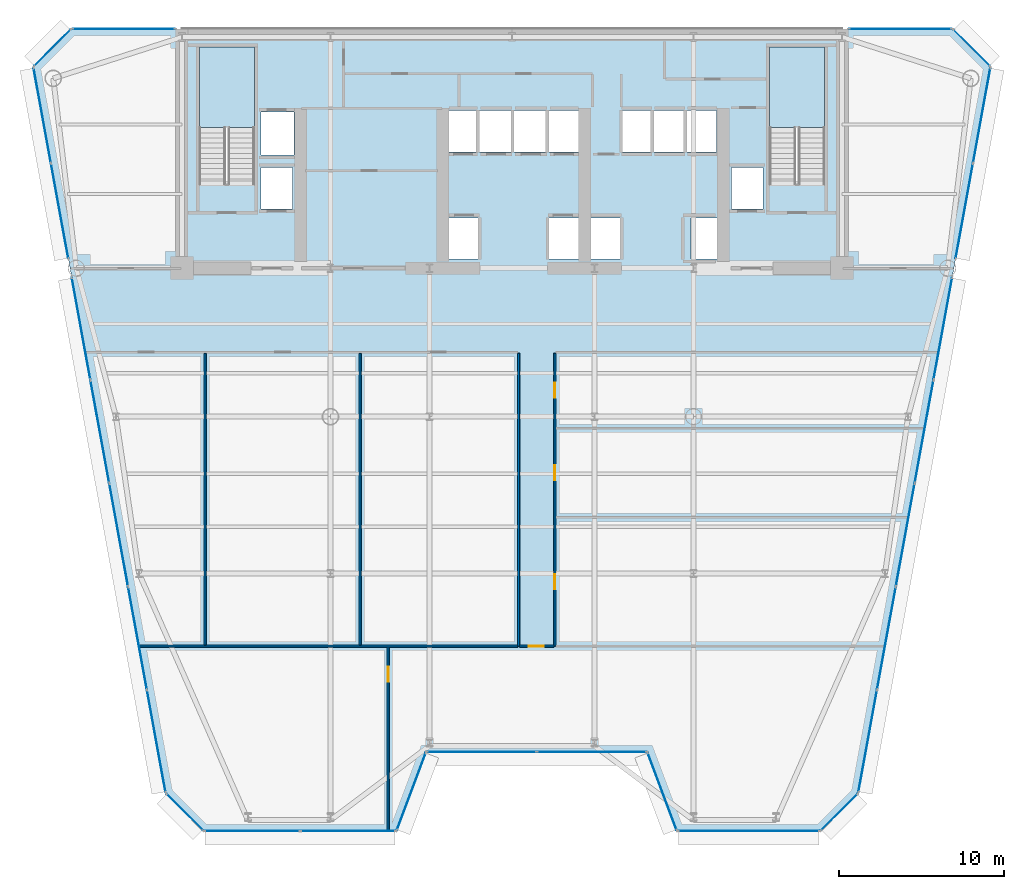
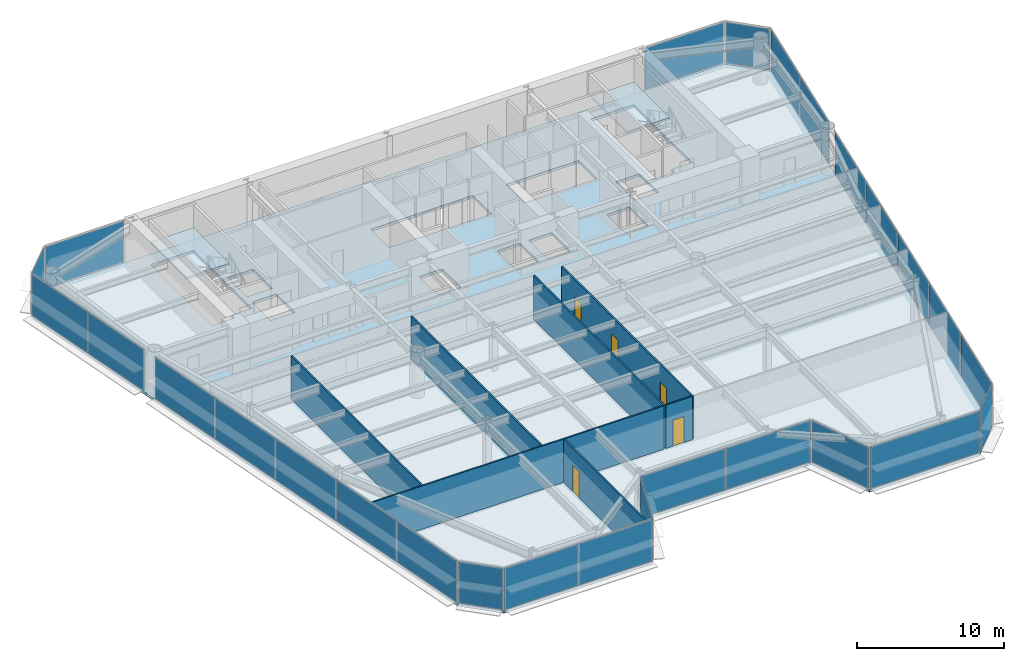
# One storey, part 7 of 14: 27 plates, 7 walls, 5 doors, 3 slabs, 5 openings, 17 elements without a shape of their own.
"""IFC4 building model written with IfcOpenShell, lengths in metres."""

from ifc_helpers import new_model, si_unit, direction, frame, frame_2d, origin, origin_2d, place, context, subcontext, project, spatial, polyline, rectangle, outline, extrude, source, transform, mapped, material, layer, layer_set, type_object, element, fill, aggregate, save


model = new_model("IFC4")

# Units and contexts
model_context = context("Model", 3, precision=1e-05, world=origin(), true_north=direction((0.0, 1.0)))
body_context = subcontext(model_context, "Body", "Model", "MODEL_VIEW")
ifc_project = project(units=[si_unit("LENGTHUNIT", "METRE"), si_unit("AREAUNIT", "SQUARE_METRE"), si_unit("VOLUMEUNIT", "CUBIC_METRE"), si_unit("PLANEANGLEUNIT", "RADIAN"), si_unit("MASSUNIT", "GRAM", prefix="KILO")], contexts=[model_context])

# Site, building, storey
site_placement = place(None, origin())
site = spatial("IfcSite", under=ifc_project, at=site_placement, CompositionType="ELEMENT")
building_placement = place(site_placement, origin())
building = spatial("IfcBuilding", under=site, at=building_placement, Name="Vaeldorn Concourse Tower", CompositionType="ELEMENT")
storey_placement = place(building_placement, frame((0.0, 0.0, 107.199951171875)))
storey = spatial("IfcBuildingStorey", under=building, at=storey_placement, Name="L27", CompositionType="ELEMENT", Elevation=107.199951171875)

# Stair, slab
ifc_material_1 = material(Name="Precast concrete C40/50", Category="concrete")
stair_type = type_object("IfcStairType", Name="STR-DOG-24x158", PredefinedType="HALF_TURN_STAIR", material=ifc_material_1)
stair_1_placement = place(storey_placement, origin())
stair_1 = element("IfcStair", 1, at=stair_1_placement, inside=storey, type_object=stair_type, Name="L27 West Core Exit Stair ST-1", PredefinedType="HALF_TURN_STAIR")
ifc_material_2 = material(Name="Concrete C40/50", Category="concrete")
ifc_layer_1 = layer(ifc_material_2, 0.199951171875)
ifc_layer_set_1 = layer_set([ifc_layer_1], Name="Concrete C40/50")
slab_type_1 = type_object("IfcSlabType", Name="SL-STAIR-LANDING", PredefinedType="LANDING", material=ifc_layer_set_1)
slab_1_placement = place(storey_placement, frame((0.0, 0.0, 1.699951171875)))
slab_1 = element("IfcSlab", 2, at=slab_1_placement, type_object=slab_type_1, Name="ST-1 landing 1", PredefinedType="LANDING", context=body_context, shape_type="SweptSolid", body=[
    extrude(outline(polyline([(18.39990234375, 45.010009765625), (18.39990234375, 49.89990234375), (15.050048828125, 49.89990234375), (15.050048828125, 45.010009765625), (18.39990234375, 45.010009765625)])), origin(), (0.0, 0.0, 1.0), 0.2001953125),
])
aggregate(stair_1, [slab_1])

stair_2_placement = place(storey_placement, origin())
stair_2 = element("IfcStair", 3, at=stair_2_placement, inside=storey, type_object=stair_type, Name="L27 East Core Exit Stair ST-2", PredefinedType="HALF_TURN_STAIR")
slab_2_placement = place(storey_placement, frame((0.0, 0.0, 1.699951171875)))
slab_2 = element("IfcSlab", 4, at=slab_2_placement, type_object=slab_type_1, Name="ST-2 landing 1", PredefinedType="LANDING", context=body_context, shape_type="SweptSolid", body=[
    extrude(outline(polyline([(52.949951171875, 45.010009765625), (52.949951171875, 49.89990234375), (49.60009765625, 49.89990234375), (49.60009765625, 45.010009765625), (52.949951171875, 45.010009765625)])), origin(), (0.0, 0.0, 1.0), 0.2001953125),
])
aggregate(stair_2, [slab_2])

# Slab
ifc_layer_2 = layer(ifc_material_2, 0.219970703125)
ifc_layer_set_2 = layer_set([ifc_layer_2], Name="Concrete C40/50")
slab_type_2 = type_object("IfcSlabType", Name="SL-TYP-220", PredefinedType="FLOOR", material=ifc_layer_set_2)
slab_3_placement = place(storey_placement, frame((0.0, 0.0, -0.219970703125)))
element("IfcSlab", 5, at=slab_3_placement, inside=storey, type_object=slab_type_2, Name="Structural Floor Slab L27", PredefinedType="FLOOR", context=body_context, shape_type="SweptSolid", body=[
    extrude(outline(polyline([(15.320556640625, 2.390869140625), (27.0, 2.390869140625), (28.800048828125, 7.19091796875), (42.199951171875, 7.19091796875), (44.0, 2.390869140625), (52.679443359375, 2.390869140625), (54.9794921875, 4.69091796875), (63.0, 48.699951171875), (60.699951171875, 51.0), (7.300048828125, 51.0), (5.0, 48.699951171875), (13.0205078125, 4.69091796875), (15.320556640625, 2.390869140625)]), holes=[polyline([(18.39990234375, 42.0), (18.39990234375, 49.89990234375), (15.050048828125, 49.89990234375), (15.050048828125, 41.60009765625), (16.800048828125, 41.60009765625), (16.800048828125, 42.0), (18.39990234375, 42.0)]), polyline([(52.949951171875, 42.0), (52.949951171875, 49.89990234375), (49.60009765625, 49.89990234375), (49.60009765625, 41.60009765625), (51.35009765625, 41.60009765625), (51.35009765625, 42.0), (52.949951171875, 42.0)]), polyline([(30.14990234375, 37.050048828125), (31.949951171875, 37.050048828125), (31.949951171875, 39.550048828125), (30.14990234375, 39.550048828125), (30.14990234375, 37.050048828125)]), polyline([(36.25, 37.050048828125), (38.050048828125, 37.050048828125), (38.050048828125, 39.550048828125), (36.25, 39.550048828125), (36.25, 37.050048828125)]), polyline([(30.10009765625, 43.550048828125), (38.10009765625, 43.550048828125), (38.10009765625, 46.050048828125), (30.10009765625, 46.050048828125), (30.10009765625, 43.550048828125)]), polyline([(38.75, 37.050048828125), (40.550048828125, 37.050048828125), (40.550048828125, 39.550048828125), (38.75, 39.550048828125), (38.75, 37.050048828125)]), polyline([(44.85009765625, 37.050048828125), (46.64990234375, 37.050048828125), (46.64990234375, 39.550048828125), (44.85009765625, 39.550048828125), (44.85009765625, 37.050048828125)]), polyline([(40.699951171875, 43.550048828125), (46.39990234375, 43.550048828125), (46.39990234375, 46.050048828125), (40.699951171875, 46.050048828125), (40.699951171875, 43.550048828125)]), polyline([(18.800048828125, 43.35009765625), (20.800048828125, 43.35009765625), (20.800048828125, 45.949951171875), (18.800048828125, 45.949951171875), (18.800048828125, 43.35009765625)]), polyline([(18.800048828125, 40.10009765625), (20.699951171875, 40.10009765625), (20.699951171875, 42.60009765625), (18.800048828125, 42.60009765625), (18.800048828125, 40.10009765625)]), polyline([(47.300048828125, 40.10009765625), (49.199951171875, 40.10009765625), (49.199951171875, 42.60009765625), (47.300048828125, 42.60009765625), (47.300048828125, 40.10009765625)])]), origin(), (0.0, 0.0, 1.0), 0.219970703125),
])

# Curtain wall, plate
ifc_material_3 = material(Name="Anodised Bronze Aluminium", Category="aluminium")
ifc_layer_3 = layer(ifc_material_3, 0.199951171875)
ifc_layer_set_3 = layer_set([ifc_layer_3], Name="Anodised Bronze Aluminium")
curtain_wall_type = type_object("IfcCurtainWallType", Name="CW-SYS-02", PredefinedType="NOTDEFINED", material=ifc_layer_set_3)
curtain_wall_1_placement = place(storey_placement, origin())
curtain_wall_1 = element("IfcCurtainWall", 6, at=curtain_wall_1_placement, inside=storey, type_object=curtain_wall_type, Name="Unitised Curtain Wall CW-L27-E02-1", PredefinedType="NOTDEFINED")
ifc_material_4 = material(Name="Bronze Tinted Low-E Insulated Glass", Category="glass")
ifc_layer_4 = layer(ifc_material_4, 0.031982421875)
ifc_layer_set_4 = layer_set([ifc_layer_4], Name="Bronze Tinted Low-E Insulated Glass")
plate_type = type_object("IfcPlateType", Name="CWP-VISION-32", PredefinedType="CURTAIN_PANEL", material=ifc_layer_set_4)
shared_shape_1 = source(origin(), body_context, "Body", "SweptSolid", [
    extrude(rectangle(XDim=4.976318359375, YDim=0.031982421875, at=origin_2d()), origin(), (0.0, 0.0, 1.0), 3.429931640625),
])
plate_1_placement = place(storey_placement, frame((27.89990234375, 4.790771484375, 0.0751953125), z_axis=(0.0, 0.0, 1.0), x_axis=(0.351123441595, 0.936329177566, 0.0)))
plate_1 = element("IfcPlate", 7, at=plate_1_placement, type_object=plate_type, Name="CW-02 panel 1.1", PredefinedType="CURTAIN_PANEL", context=body_context, shape_type="MappedRepresentation", body=[
    mapped(shared_shape_1, transform((0.0, 0.0, 0.0), scale=1.0)),
])
aggregate(curtain_wall_1, [plate_1])

curtain_wall_2_placement = place(storey_placement, origin())
curtain_wall_2 = element("IfcCurtainWall", 8, at=curtain_wall_2_placement, inside=storey, type_object=curtain_wall_type, Name="Unitised Curtain Wall CW-L27-E04-1", PredefinedType="NOTDEFINED")
plate_2_placement = place(storey_placement, frame((43.10009765625, 4.790771484375, 0.0751953125), z_axis=(0.0, 0.0, 1.0), x_axis=(0.351123441595, -0.936329177566, 0.0)))
plate_2 = element("IfcPlate", 9, at=plate_2_placement, type_object=plate_type, Name="CW-02 panel 1.1", PredefinedType="CURTAIN_PANEL", context=body_context, shape_type="MappedRepresentation", body=[
    mapped(shared_shape_1, transform((0.0, 0.0, 0.0), scale=1.0)),
])
aggregate(curtain_wall_2, [plate_2])

# Curtain wall, plates
curtain_wall_3_placement = place(storey_placement, origin())
curtain_wall_3 = element("IfcCurtainWall", 10, at=curtain_wall_3_placement, inside=storey, type_object=curtain_wall_type, Name="Unitised Curtain Wall CW-L27-E03-1", PredefinedType="NOTDEFINED")
shared_shape_2 = source(origin(), body_context, "Body", "SweptSolid", [
    extrude(rectangle(XDim=6.58740234375, YDim=0.031982421875, at=origin_2d()), origin(), (0.0, 0.0, 1.0), 3.429931640625),
])
plate_3_placement = place(storey_placement, frame((32.168701171875, 7.19091796875, 0.0751953125), z_axis=(0.0, 0.0, 1.0), x_axis=(1.0, 0.0, 0.0)))
plate_3 = element("IfcPlate", 11, at=plate_3_placement, type_object=plate_type, Name="CW-02 panel 1.1", PredefinedType="CURTAIN_PANEL", context=body_context, shape_type="MappedRepresentation", body=[
    mapped(shared_shape_2, transform((0.0, 0.0, 0.0), scale=1.0)),
])
plate_4_placement = place(storey_placement, frame((38.831298828125, 7.19091796875, 0.0751953125), z_axis=(0.0, 0.0, 1.0), x_axis=(1.0, 0.0, 0.0)))
plate_4 = element("IfcPlate", 12, at=plate_4_placement, type_object=plate_type, Name="CW-02 panel 2.1", PredefinedType="CURTAIN_PANEL", context=body_context, shape_type="MappedRepresentation", body=[
    mapped(shared_shape_2, transform((0.0, 0.0, 0.0), scale=1.0)),
])
aggregate(curtain_wall_3, [plate_3, plate_4])

# Curtain wall, plate
curtain_wall_4_placement = place(storey_placement, origin())
curtain_wall_4 = element("IfcCurtainWall", 13, at=curtain_wall_4_placement, inside=storey, type_object=curtain_wall_type, Name="Unitised Curtain Wall CW-L27-E06-1", PredefinedType="NOTDEFINED")
shared_shape_3 = source(origin(), body_context, "Body", "SweptSolid", [
    extrude(rectangle(XDim=3.102783203125, YDim=0.031982421875, at=origin_2d()), origin(), (0.0, 0.0, 1.0), 3.429931640625),
])
plate_5_placement = place(storey_placement, frame((53.82958984375, 3.540771484375, 0.0751953125), z_axis=(0.0, 0.0, 1.0), x_axis=(0.707106781187, 0.707106781187, 0.0)))
plate_5 = element("IfcPlate", 14, at=plate_5_placement, type_object=plate_type, Name="CW-02 panel 1.1", PredefinedType="CURTAIN_PANEL", context=body_context, shape_type="MappedRepresentation", body=[
    mapped(shared_shape_3, transform((0.0, 0.0, 0.0), scale=1.0)),
])
aggregate(curtain_wall_4, [plate_5])

curtain_wall_5_placement = place(storey_placement, origin())
curtain_wall_5 = element("IfcCurtainWall", 15, at=curtain_wall_5_placement, inside=storey, type_object=curtain_wall_type, Name="Unitised Curtain Wall CW-L27-E08-1", PredefinedType="NOTDEFINED")
plate_6_placement = place(storey_placement, frame((61.85009765625, 49.85009765625, 0.0751953125), z_axis=(0.0, 0.0, 1.0), x_axis=(-0.707106781187, 0.707106781187, 0.0)))
plate_6 = element("IfcPlate", 16, at=plate_6_placement, type_object=plate_type, Name="CW-02 panel 1.1", PredefinedType="CURTAIN_PANEL", context=body_context, shape_type="MappedRepresentation", body=[
    mapped(shared_shape_3, transform((0.0, 0.0, 0.0), scale=1.0)),
])
aggregate(curtain_wall_5, [plate_6])

curtain_wall_6_placement = place(storey_placement, origin())
curtain_wall_6 = element("IfcCurtainWall", 17, at=curtain_wall_6_placement, inside=storey, type_object=curtain_wall_type, Name="Unitised Curtain Wall CW-L27-E10-1", PredefinedType="NOTDEFINED")
plate_7_placement = place(storey_placement, frame((6.14990234375, 49.85009765625, 0.0751953125), z_axis=(0.0, 0.0, 1.0), x_axis=(-0.707106781187, -0.707106781187, 0.0)))
plate_7 = element("IfcPlate", 18, at=plate_7_placement, type_object=plate_type, Name="CW-02 panel 1.1", PredefinedType="CURTAIN_PANEL", context=body_context, shape_type="MappedRepresentation", body=[
    mapped(shared_shape_3, transform((0.0, 0.0, 0.0), scale=1.0)),
])
aggregate(curtain_wall_6, [plate_7])

curtain_wall_7_placement = place(storey_placement, origin())
curtain_wall_7 = element("IfcCurtainWall", 19, at=curtain_wall_7_placement, inside=storey, type_object=curtain_wall_type, Name="Unitised Curtain Wall CW-L27-E12-1", PredefinedType="NOTDEFINED")
plate_8_placement = place(storey_placement, frame((14.17041015625, 3.540771484375, 0.0751953125), z_axis=(0.0, 0.0, 1.0), x_axis=(0.707106781187, -0.707106781187, 0.0)))
plate_8 = element("IfcPlate", 20, at=plate_8_placement, type_object=plate_type, Name="CW-02 panel 1.1", PredefinedType="CURTAIN_PANEL", context=body_context, shape_type="MappedRepresentation", body=[
    mapped(shared_shape_3, transform((0.0, 0.0, 0.0), scale=1.0)),
])
aggregate(curtain_wall_7, [plate_8])

# Curtain wall, plates
curtain_wall_8_placement = place(storey_placement, origin())
curtain_wall_8 = element("IfcCurtainWall", 21, at=curtain_wall_8_placement, inside=storey, type_object=curtain_wall_type, Name="Unitised Curtain Wall CW-L27-E01-1", PredefinedType="NOTDEFINED")
shared_shape_4 = source(origin(), body_context, "Body", "SweptSolid", [
    extrude(rectangle(XDim=5.727294921875, YDim=0.031982421875, at=origin_2d()), origin(), (0.0, 0.0, 1.0), 3.429931640625),
])
plate_9_placement = place(storey_placement, frame((18.259033203125, 2.390869140625, 0.0751953125), z_axis=(0.0, 0.0, 1.0), x_axis=(1.0, 0.0, 0.0)))
plate_9 = element("IfcPlate", 22, at=plate_9_placement, type_object=plate_type, Name="CW-02 panel 1.1", PredefinedType="CURTAIN_PANEL", context=body_context, shape_type="MappedRepresentation", body=[
    mapped(shared_shape_4, transform((0.0, 0.0, 0.0), scale=1.0)),
])
plate_10_placement = place(storey_placement, frame((24.061279296875, 2.390869140625, 0.0751953125), z_axis=(0.0, 0.0, 1.0), x_axis=(1.0, 0.0, 0.0)))
plate_10 = element("IfcPlate", 23, at=plate_10_placement, type_object=plate_type, Name="CW-02 panel 2.1", PredefinedType="CURTAIN_PANEL", context=body_context, shape_type="MappedRepresentation", body=[
    mapped(shared_shape_4, transform((0.0, 0.0, 0.0), scale=1.0)),
])
aggregate(curtain_wall_8, [plate_9, plate_10])

# Curtain wall, plate
curtain_wall_9_placement = place(storey_placement, origin())
curtain_wall_9 = element("IfcCurtainWall", 24, at=curtain_wall_9_placement, inside=storey, type_object=curtain_wall_type, Name="Unitised Curtain Wall CW-L27-E05-1", PredefinedType="NOTDEFINED")
shared_shape_5 = source(origin(), body_context, "Body", "SweptSolid", [
    extrude(rectangle(XDim=8.529541015625, YDim=0.031982421875, at=origin_2d()), origin(), (0.0, 0.0, 1.0), 3.429931640625),
])
plate_11_placement = place(storey_placement, frame((48.33984375, 2.390869140625, 0.0751953125), z_axis=(0.0, 0.0, 1.0), x_axis=(1.0, 0.0, 0.0)))
plate_11 = element("IfcPlate", 25, at=plate_11_placement, type_object=plate_type, Name="CW-02 panel 1.1", PredefinedType="CURTAIN_PANEL", context=body_context, shape_type="MappedRepresentation", body=[
    mapped(shared_shape_5, transform((0.0, 0.0, 0.0), scale=1.0)),
])
aggregate(curtain_wall_9, [plate_11])

curtain_wall_10_placement = place(storey_placement, origin())
curtain_wall_10 = element("IfcCurtainWall", 26, at=curtain_wall_10_placement, inside=storey, type_object=curtain_wall_type, Name="Unitised Curtain Wall CW-L27-E09-1", PredefinedType="NOTDEFINED")
shared_shape_6 = source(origin(), body_context, "Body", "SweptSolid", [
    extrude(rectangle(XDim=6.179931640625, YDim=0.031982421875, at=origin_2d()), origin(), (0.0, 0.0, 1.0), 3.429931640625),
])
plate_12_placement = place(storey_placement, frame((57.534912109375, 51.0, 0.0751953125), z_axis=(0.0, 0.0, 1.0), x_axis=(-1.0, 0.0, 0.0)))
plate_12 = element("IfcPlate", 27, at=plate_12_placement, type_object=plate_type, Name="CW-02 panel 1.1", PredefinedType="CURTAIN_PANEL", context=body_context, shape_type="MappedRepresentation", body=[
    mapped(shared_shape_6, transform((0.0, 0.0, 0.0), scale=1.0)),
])
aggregate(curtain_wall_10, [plate_12])

curtain_wall_11_placement = place(storey_placement, origin())
curtain_wall_11 = element("IfcCurtainWall", 28, at=curtain_wall_11_placement, inside=storey, type_object=curtain_wall_type, Name="Unitised Curtain Wall CW-L27-E09-2", PredefinedType="NOTDEFINED")
plate_13_placement = place(storey_placement, frame((10.465087890625, 51.0, 0.0751953125), z_axis=(0.0, 0.0, 1.0), x_axis=(-1.0, 0.0, 0.0)))
plate_13 = element("IfcPlate", 29, at=plate_13_placement, type_object=plate_type, Name="CW-02 panel 1.1", PredefinedType="CURTAIN_PANEL", context=body_context, shape_type="MappedRepresentation", body=[
    mapped(shared_shape_6, transform((0.0, 0.0, 0.0), scale=1.0)),
])
aggregate(curtain_wall_11, [plate_13])

# Curtain wall, plates
curtain_wall_12_placement = place(storey_placement, origin())
curtain_wall_12 = element("IfcCurtainWall", 30, at=curtain_wall_12_placement, inside=storey, type_object=curtain_wall_type, Name="Unitised Curtain Wall CW-L27-E07-2", PredefinedType="NOTDEFINED")
shared_shape_7 = source(origin(), body_context, "Body", "SweptSolid", [
    extrude(rectangle(XDim=5.82470703125, YDim=0.031982421875, at=origin_2d()), origin(), (0.0, 0.0, 1.0), 3.429931640625),
])
plate_14_placement = place(storey_placement, frame((61.406494140625, 39.95703125, 0.0751953125), z_axis=(0.0, 0.0, 1.0), x_axis=(0.179293021832, 0.983795716764, 0.0)))
plate_14 = element("IfcPlate", 31, at=plate_14_placement, type_object=plate_type, Name="CW-02 panel 1.1", PredefinedType="CURTAIN_PANEL", context=body_context, shape_type="MappedRepresentation", body=[
    mapped(shared_shape_7, transform((0.0, 0.0, 0.0), scale=1.0)),
])
plate_15_placement = place(storey_placement, frame((62.46435546875, 45.760986328125, 0.0751953125), z_axis=(0.0, 0.0, 1.0), x_axis=(0.179293021832, 0.983795716764, 0.0)))
plate_15 = element("IfcPlate", 32, at=plate_15_placement, type_object=plate_type, Name="CW-02 panel 2.1", PredefinedType="CURTAIN_PANEL", context=body_context, shape_type="MappedRepresentation", body=[
    mapped(shared_shape_7, transform((0.0, 0.0, 0.0), scale=1.0)),
])
aggregate(curtain_wall_12, [plate_14, plate_15])

curtain_wall_13_placement = place(storey_placement, origin())
curtain_wall_13 = element("IfcCurtainWall", 33, at=curtain_wall_13_placement, inside=storey, type_object=curtain_wall_type, Name="Unitised Curtain Wall CW-L27-E11-1", PredefinedType="NOTDEFINED")
plate_16_placement = place(storey_placement, frame((5.53564453125, 45.760986328125, 0.0751953125), z_axis=(0.0, 0.0, 1.0), x_axis=(0.179293021832, -0.983795716764, 0.0)))
plate_16 = element("IfcPlate", 34, at=plate_16_placement, type_object=plate_type, Name="CW-02 panel 1.1", PredefinedType="CURTAIN_PANEL", context=body_context, shape_type="MappedRepresentation", body=[
    mapped(shared_shape_7, transform((0.0, 0.0, 0.0), scale=1.0)),
])
plate_17_placement = place(storey_placement, frame((6.593505859375, 39.95703125, 0.0751953125), z_axis=(0.0, 0.0, 1.0), x_axis=(0.179293021832, -0.983795716764, 0.0)))
plate_17 = element("IfcPlate", 35, at=plate_17_placement, type_object=plate_type, Name="CW-02 panel 2.1", PredefinedType="CURTAIN_PANEL", context=body_context, shape_type="MappedRepresentation", body=[
    mapped(shared_shape_7, transform((0.0, 0.0, 0.0), scale=1.0)),
])
aggregate(curtain_wall_13, [plate_16, plate_17])

curtain_wall_14_placement = place(storey_placement, origin())
curtain_wall_14 = element("IfcCurtainWall", 36, at=curtain_wall_14_placement, inside=storey, type_object=curtain_wall_type, Name="Unitised Curtain Wall CW-L27-E07-1", PredefinedType="NOTDEFINED")
shared_shape_8 = source(origin(), body_context, "Body", "SweptSolid", [
    extrude(rectangle(XDim=6.248779296875, YDim=0.031982421875, at=origin_2d()), origin(), (0.0, 0.0, 1.0), 3.429931640625),
])
plate_18_placement = place(storey_placement, frame((55.55322265625, 7.83837890625, 0.0751953125), z_axis=(0.0, 0.0, 1.0), x_axis=(0.179292960877, 0.983795727872, 0.0)))
plate_18 = element("IfcPlate", 37, at=plate_18_placement, type_object=plate_type, Name="CW-02 panel 1.1", PredefinedType="CURTAIN_PANEL", context=body_context, shape_type="MappedRepresentation", body=[
    mapped(shared_shape_8, transform((0.0, 0.0, 0.0), scale=1.0)),
])
plate_19_placement = place(storey_placement, frame((60.108642578125, 32.83447265625, 0.0751953125), z_axis=(0.0, 0.0, 1.0), x_axis=(0.179292960877, 0.983795727872, 0.0)))
plate_19 = element("IfcPlate", 38, at=plate_19_placement, type_object=plate_type, Name="CW-02 panel 5.1", PredefinedType="CURTAIN_PANEL", context=body_context, shape_type="MappedRepresentation", body=[
    mapped(shared_shape_8, transform((0.0, 0.0, 0.0), scale=1.0)),
])

curtain_wall_15_placement = place(storey_placement, origin())
curtain_wall_15 = element("IfcCurtainWall", 39, at=curtain_wall_15_placement, inside=storey, type_object=curtain_wall_type, Name="Unitised Curtain Wall CW-L27-E11-2", PredefinedType="NOTDEFINED")
plate_20_placement = place(storey_placement, frame((7.891357421875, 32.83447265625, 0.0751953125), z_axis=(0.0, 0.0, 1.0), x_axis=(0.179292960877, -0.983795727872, 0.0)))
plate_20 = element("IfcPlate", 40, at=plate_20_placement, type_object=plate_type, Name="CW-02 panel 1.1", PredefinedType="CURTAIN_PANEL", context=body_context, shape_type="MappedRepresentation", body=[
    mapped(shared_shape_8, transform((0.0, 0.0, 0.0), scale=1.0)),
])
plate_21_placement = place(storey_placement, frame((12.44677734375, 7.83837890625, 0.0751953125), z_axis=(0.0, 0.0, 1.0), x_axis=(0.179292960877, -0.983795727872, 0.0)))
plate_21 = element("IfcPlate", 41, at=plate_21_placement, type_object=plate_type, Name="CW-02 panel 5.1", PredefinedType="CURTAIN_PANEL", context=body_context, shape_type="MappedRepresentation", body=[
    mapped(shared_shape_8, transform((0.0, 0.0, 0.0), scale=1.0)),
])

# Plate
shared_shape_9 = source(origin(), body_context, "Body", "SweptSolid", [
    extrude(rectangle(XDim=6.286376953125, YDim=0.031982421875, at=origin_2d()), origin(), (0.0, 0.0, 1.0), 3.429931640625),
])
plate_22_placement = place(storey_placement, frame((56.6904296875, 14.078125, 0.0751953125), z_axis=(0.0, 0.0, 1.0), x_axis=(0.179292960877, 0.983795727872, 0.0)))
plate_22 = element("IfcPlate", 42, at=plate_22_placement, type_object=plate_type, Name="CW-02 panel 2.1", PredefinedType="CURTAIN_PANEL", context=body_context, shape_type="MappedRepresentation", body=[
    mapped(shared_shape_9, transform((0.0, 0.0, 0.0), scale=1.0)),
])

plate_23_placement = place(storey_placement, frame((57.830810546875, 20.33642578125, 0.0751953125), z_axis=(0.0, 0.0, 1.0), x_axis=(0.179292960877, 0.983795727872, 0.0)))
plate_23 = element("IfcPlate", 43, at=plate_23_placement, type_object=plate_type, Name="CW-02 panel 3.1", PredefinedType="CURTAIN_PANEL", context=body_context, shape_type="MappedRepresentation", body=[
    mapped(shared_shape_9, transform((0.0, 0.0, 0.0), scale=1.0)),
])

plate_24_placement = place(storey_placement, frame((58.971435546875, 26.5947265625, 0.0751953125), z_axis=(0.0, 0.0, 1.0), x_axis=(0.179292960877, 0.983795727872, 0.0)))
plate_24 = element("IfcPlate", 44, at=plate_24_placement, type_object=plate_type, Name="CW-02 panel 4.1", PredefinedType="CURTAIN_PANEL", context=body_context, shape_type="MappedRepresentation", body=[
    mapped(shared_shape_9, transform((0.0, 0.0, 0.0), scale=1.0)),
])

aggregate(curtain_wall_14, [plate_18, plate_22, plate_23, plate_24, plate_19])

plate_25_placement = place(storey_placement, frame((9.028564453125, 26.5947265625, 0.0751953125), z_axis=(0.0, 0.0, 1.0), x_axis=(0.179292960877, -0.983795727872, 0.0)))
plate_25 = element("IfcPlate", 45, at=plate_25_placement, type_object=plate_type, Name="CW-02 panel 2.1", PredefinedType="CURTAIN_PANEL", context=body_context, shape_type="MappedRepresentation", body=[
    mapped(shared_shape_9, transform((0.0, 0.0, 0.0), scale=1.0)),
])

plate_26_placement = place(storey_placement, frame((10.169189453125, 20.33642578125, 0.0751953125), z_axis=(0.0, 0.0, 1.0), x_axis=(0.179292960877, -0.983795727872, 0.0)))
plate_26 = element("IfcPlate", 46, at=plate_26_placement, type_object=plate_type, Name="CW-02 panel 3.1", PredefinedType="CURTAIN_PANEL", context=body_context, shape_type="MappedRepresentation", body=[
    mapped(shared_shape_9, transform((0.0, 0.0, 0.0), scale=1.0)),
])

plate_27_placement = place(storey_placement, frame((11.3095703125, 14.078125, 0.0751953125), z_axis=(0.0, 0.0, 1.0), x_axis=(0.179292960877, -0.983795727872, 0.0)))
plate_27 = element("IfcPlate", 47, at=plate_27_placement, type_object=plate_type, Name="CW-02 panel 4.1", PredefinedType="CURTAIN_PANEL", context=body_context, shape_type="MappedRepresentation", body=[
    mapped(shared_shape_9, transform((0.0, 0.0, 0.0), scale=1.0)),
])

aggregate(curtain_wall_15, [plate_20, plate_25, plate_26, plate_27, plate_21])

# Wall
ifc_material_5 = material(Name="Gypsum Board Partition", Category="gypsum")
ifc_layer_5 = layer(ifc_material_5, 0.1201171875)
ifc_layer_set_5 = layer_set([ifc_layer_5], Name="Gypsum Board Partition")
wall_type = type_object("IfcWallType", Name="WL-PART-120", PredefinedType="PARTITIONING", material=ifc_layer_set_5)
wall_1_placement = place(storey_placement, frame((34.39990234375, 13.60009765625, 0.0), z_axis=(0.0, 0.0, 1.0), x_axis=(0.0, 1.0, 0.0)))
element("IfcWall", 48, at=wall_1_placement, inside=storey, type_object=wall_type, Name="Interior Wall PW-L27-SP2W", PredefinedType="PARTITIONING", context=body_context, shape_type="SweptSolid", body=[
    extrude(rectangle(XDim=17.739990234375, YDim=0.1201171875, at=frame_2d((8.8701171875, 0.0))), origin(), (0.0, 0.0, 1.0), 3.580078125),
])

# Wall, openings, doors
wall_2_placement = place(storey_placement, frame((36.60009765625, 13.60009765625, 0.0), z_axis=(0.0, 0.0, 1.0), x_axis=(0.0, 1.0, 0.0)))
wall_2 = element("IfcWall", 49, at=wall_2_placement, inside=storey, type_object=wall_type, Name="Interior Wall PW-L27-SP2E", PredefinedType="PARTITIONING", context=body_context, shape_type="SweptSolid", body=[
    extrude(rectangle(XDim=17.739990234375, YDim=0.1201171875, at=frame_2d((8.8701171875, 0.0))), origin(), (0.0, 0.0, 1.0), 3.580078125),
])
opening_1_placement = place(wall_2_placement, frame((3.449951171875, 0.0, 0.0)))
opening_1 = element("IfcOpeningElement", 50, at=opening_1_placement, cuts=wall_2, Name="Opening D-03", PredefinedType="OPENING", context=body_context, shape_type="SweptSolid", body=[
    extrude(rectangle(XDim=0.89990234375, YDim=2.14990234375, at=frame_2d((0.449951171875, 1.074951171875))), frame((0.0, 0.070068359375, 0.0), z_axis=(0.0, -1.0, 0.0), x_axis=(1.0, 0.0, 0.0)), (0.0, 0.0, 1.0), 0.14013671875),
])
opening_2_placement = place(wall_2_placement, frame((10.050048828125, 0.0, 0.0)))
opening_2 = element("IfcOpeningElement", 51, at=opening_2_placement, cuts=wall_2, Name="Opening D-03", PredefinedType="OPENING", context=body_context, shape_type="SweptSolid", body=[
    extrude(rectangle(XDim=0.89990234375, YDim=2.14990234375, at=frame_2d((0.449951171875, 1.074951171875))), frame((0.0, 0.070068359375, 0.0), z_axis=(0.0, -1.0, 0.0), x_axis=(1.0, 0.0, 0.0)), (0.0, 0.0, 1.0), 0.14013671875),
])
opening_3_placement = place(wall_2_placement, frame((15.050048828125, 0.0, 0.0)))
opening_3 = element("IfcOpeningElement", 52, at=opening_3_placement, cuts=wall_2, Name="Opening D-03", PredefinedType="OPENING", context=body_context, shape_type="SweptSolid", body=[
    extrude(rectangle(XDim=0.89990234375, YDim=2.14990234375, at=frame_2d((0.449951171875, 1.074951171875))), frame((0.0, 0.070068359375, 0.0), z_axis=(0.0, -1.0, 0.0), x_axis=(1.0, 0.0, 0.0)), (0.0, 0.0, 1.0), 0.14013671875),
])
ifc_material_6 = material(Name="Acoustic Bronze-Framed Glass Door", Category="glass")
door_type = type_object("IfcDoorType", Name="DR-INT-900", OperationType="NOTDEFINED", PredefinedType="DOOR", material=ifc_material_6)
shared_shape_10 = source(origin(), body_context, "Body", "SweptSolid", [
    extrude(rectangle(XDim=0.89990234375, YDim=2.14990234375, at=frame_2d((0.449951171875, 1.074951171875))), frame((0.0, 0.02490234375, 0.0), z_axis=(0.0, -1.0, 0.0), x_axis=(1.0, 0.0, 0.0)), (0.0, 0.0, 1.0), 0.050048828125),
])
door_1_placement = place(opening_1_placement, origin())
door_1 = element("IfcDoor", 53, at=door_1_placement, inside=storey, type_object=door_type, Name="Interior Door DR-L27-Z2E1", OperationType="SINGLE_SWING_RIGHT", OverallHeight=2.14990234375, OverallWidth=0.89990234375, PredefinedType="DOOR", context=body_context, shape_type="MappedRepresentation", body=[
    mapped(shared_shape_10, transform((0.0, 0.0, 0.0), scale=1.0)),
])
fill(opening_1, door_1)
door_2_placement = place(opening_2_placement, origin())
door_2 = element("IfcDoor", 54, at=door_2_placement, inside=storey, type_object=door_type, Name="Interior Door DR-L27-Z2E2", OperationType="SINGLE_SWING_LEFT", OverallHeight=2.14990234375, OverallWidth=0.89990234375, PredefinedType="DOOR", context=body_context, shape_type="MappedRepresentation", body=[
    mapped(shared_shape_10, transform((0.0, 0.0, 0.0), scale=1.0)),
])
fill(opening_2, door_2)
door_3_placement = place(opening_3_placement, origin())
door_3 = element("IfcDoor", 55, at=door_3_placement, inside=storey, type_object=door_type, Name="Interior Door DR-L27-Z2E3", OperationType="SINGLE_SWING_RIGHT", OverallHeight=2.14990234375, OverallWidth=0.89990234375, PredefinedType="DOOR", context=body_context, shape_type="MappedRepresentation", body=[
    mapped(shared_shape_10, transform((0.0, 0.0, 0.0), scale=1.0)),
])
fill(opening_3, door_3)

# Wall, opening, door
wall_3_placement = place(storey_placement, frame((34.4599609375, 13.60009765625, 0.0), z_axis=(0.0, 0.0, 1.0), x_axis=(1.0, 0.0, 0.0)))
wall_3 = element("IfcWall", 56, at=wall_3_placement, inside=storey, type_object=wall_type, Name="Interior Wall PW-L27-SP2S", PredefinedType="PARTITIONING", context=body_context, shape_type="SweptSolid", body=[
    extrude(rectangle(XDim=2.080078125, YDim=0.1201171875, at=frame_2d((1.0400390625, 0.0))), origin(), (0.0, 0.0, 1.0), 3.580078125),
])
opening_4_placement = place(wall_3_placement, frame((0.550048828125, 0.0, 0.0)))
opening_4 = element("IfcOpeningElement", 57, at=opening_4_placement, cuts=wall_3, Name="Opening D-03", PredefinedType="OPENING", context=body_context, shape_type="SweptSolid", body=[
    extrude(rectangle(XDim=0.89990234375, YDim=2.14990234375, at=frame_2d((0.449951171875, 1.074951171875))), frame((0.0, 0.070068359375, 0.0), z_axis=(0.0, -1.0, 0.0), x_axis=(1.0, 0.0, 0.0)), (0.0, 0.0, 1.0), 0.14013671875),
])
door_4_placement = place(opening_4_placement, origin())
door_4 = element("IfcDoor", 58, at=door_4_placement, inside=storey, type_object=door_type, Name="Interior Door DR-L27-Z2SFM", OperationType="SINGLE_SWING_LEFT", OverallHeight=2.14990234375, OverallWidth=0.89990234375, PredefinedType="DOOR", context=body_context, shape_type="MappedRepresentation", body=[
    mapped(shared_shape_10, transform((0.0, 0.0, 0.0), scale=1.0)),
])
fill(opening_4, door_4)

# Wall
wall_4_placement = place(storey_placement, frame((11.436767578125, 13.60009765625, 0.0), z_axis=(0.0, 0.0, 1.0), x_axis=(1.0, 0.0, 0.0)))
element("IfcWall", 59, at=wall_4_placement, inside=storey, type_object=wall_type, Name="Interior Wall PW-L27-S2WL", PredefinedType="PARTITIONING", context=body_context, shape_type="SweptSolid", body=[
    extrude(rectangle(XDim=22.9033203125, YDim=0.1201171875, at=frame_2d((11.45166015625, 0.0))), origin(), (0.0, 0.0, 1.0), 3.580078125),
])

# Wall, opening, door
wall_5_placement = place(storey_placement, frame((26.5, 2.430908203125, 0.0), z_axis=(0.0, 0.0, 1.0), x_axis=(0.0, 1.0, 0.0)))
wall_5 = element("IfcWall", 60, at=wall_5_placement, inside=storey, type_object=wall_type, Name="Interior Wall PW-L27-Z2SFX1", PredefinedType="PARTITIONING", context=body_context, shape_type="SweptSolid", body=[
    extrude(rectangle(XDim=11.109130859375, YDim=0.1201171875, at=frame_2d((5.5546875, 0.0))), origin(), (0.0, 0.0, 1.0), 3.580078125),
])
opening_5_placement = place(wall_5_placement, frame((9.009033203125, 0.0, 0.0)))
opening_5 = element("IfcOpeningElement", 61, at=opening_5_placement, cuts=wall_5, Name="Opening D-03", PredefinedType="OPENING", context=body_context, shape_type="SweptSolid", body=[
    extrude(rectangle(XDim=0.89990234375, YDim=2.14990234375, at=frame_2d((0.449951171875, 1.074951171875))), frame((0.0, 0.070068359375, 0.0), z_axis=(0.0, -1.0, 0.0), x_axis=(1.0, 0.0, 0.0)), (0.0, 0.0, 1.0), 0.14013671875),
])
door_5_placement = place(opening_5_placement, origin())
door_5 = element("IfcDoor", 62, at=door_5_placement, inside=storey, type_object=door_type, Name="Interior Door DR-L27-Z2SFX1", OperationType="SINGLE_SWING_RIGHT", OverallHeight=2.14990234375, OverallWidth=0.89990234375, PredefinedType="DOOR", context=body_context, shape_type="MappedRepresentation", body=[
    mapped(shared_shape_10, transform((0.0, 0.0, 0.0), scale=1.0)),
])
fill(opening_5, door_5)

# Walls
for number, where, z_axis, x_axis, name in (
    (63, (15.39990234375, 13.659912109375, 0.0), (0.0, 0.0, 1.0), (0.0, 1.0, 0.0), "Interior Wall PW-L27-Z2WX1"),
    (64, (24.800048828125, 13.659912109375, 0.0), (0.0, 0.0, 1.0), (0.0, 1.0, 0.0), "Interior Wall PW-L27-Z2WX2"),
):
    element("IfcWall", number, at=place(storey_placement, frame(where, z_axis=z_axis, x_axis=x_axis)), inside=storey, type_object=wall_type, Name=name, PredefinedType="PARTITIONING", context=body_context, shape_type="SweptSolid", body=[
        extrude(rectangle(XDim=17.68017578125, YDim=0.1201171875, at=frame_2d((8.840087890625, 0.0))), origin(), (0.0, 0.0, 1.0), 3.580078125),
    ])

save(model, "model.ifc")
